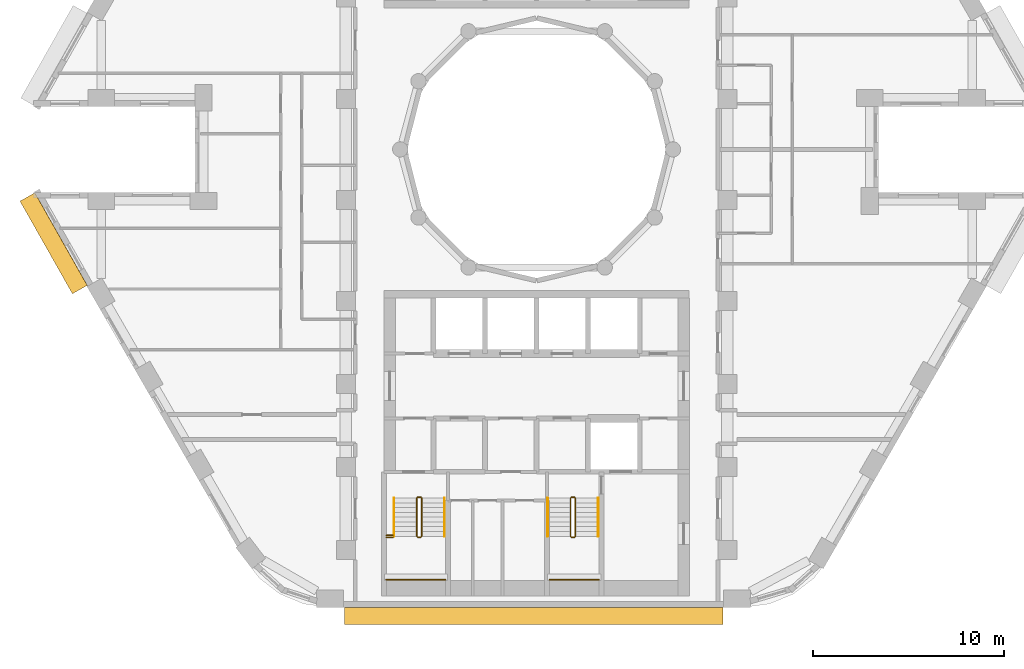
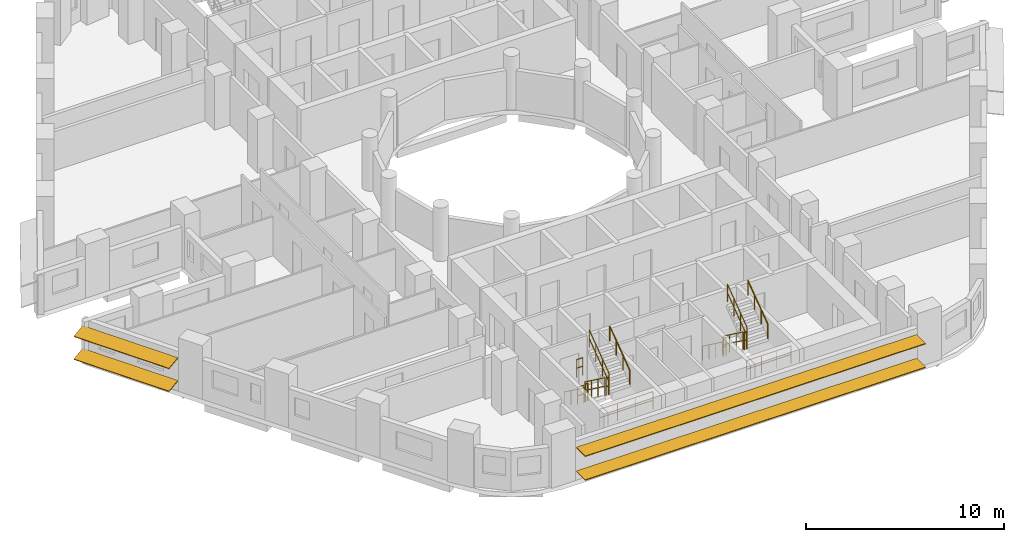
# One storey, part 10 of 12: 16 railings, 4 shading devices.
"""IFC4 building model written with IfcOpenShell, lengths in metres."""

from ifc_helpers import new_model, si_unit, direction, frame, origin, origin_2d, place, context, subcontext, project, spatial, rectangle, circle, extrude, material, material_profile, profile_set, type_object, element, save


model = new_model("IFC4")

# Units and contexts
model_context = context("Model", 3, precision=1e-05, world=origin(), true_north=direction((0.0, 1.0)))
body_context = subcontext(model_context, "Body", "Model", "MODEL_VIEW")
ifc_project = project(units=[si_unit("LENGTHUNIT", "METRE"), si_unit("AREAUNIT", "SQUARE_METRE"), si_unit("VOLUMEUNIT", "CUBIC_METRE"), si_unit("PLANEANGLEUNIT", "RADIAN"), si_unit("MASSUNIT", "GRAM", prefix="KILO")], contexts=[model_context])

# Site, building, storey
site_placement = place(None, origin())
site = spatial("IfcSite", under=ifc_project, at=site_placement, CompositionType="ELEMENT")
building_placement = place(site_placement, origin())
building = spatial("IfcBuilding", under=site, at=building_placement, Name="Nakaniwa Court", CompositionType="ELEMENT")
storey_placement = place(building_placement, frame((0.0, 0.0, 87.60009765625)))
storey = spatial("IfcBuildingStorey", under=building, at=storey_placement, Name="L22", CompositionType="ELEMENT", Elevation=87.60009765625)

# Shading devices
ifc_material_1 = material(Name="Perforated charcoal ceramic louvre blade")
ifc_material_profile = material_profile(ifc_material_1, rectangle(XDim=0.89990234375, YDim=0.050048828125, at=origin_2d()), Name="Perforated ceramic louvre blade")
ifc_profile_set = profile_set([ifc_material_profile], Name="Perforated charcoal ceramic louvre blade")
shading_device_type = type_object("IfcShadingDeviceType", Name="Perforated ceramic louvre blade", PredefinedType="JALOUSIE", material=ifc_profile_set)
for number, where, z_axis, x_axis, name in (
    (1, (53.31689453125, 77.508056640625, 0.5498046875), (0.492438058427, -0.870347493024, 0.0), (0.862701960504, 0.488112256124, 0.132256390257), "L22 perforated ceramic louvre blade w20 1"),
    (2, (53.31689453125, 77.508056640625, 1.95556640625), (0.492438058427, -0.870347493024, 0.0), (0.862701960504, 0.488112256124, 0.132256390257), "L22 perforated ceramic louvre blade w20 2"),
):
    element("IfcShadingDevice", number, at=place(storey_placement, frame(where, z_axis=z_axis, x_axis=x_axis)), inside=storey, type_object=shading_device_type, Name=name, PredefinedType="JALOUSIE", context=body_context, shape_type="SweptSolid", body=[
        extrude(rectangle(XDim=0.89990234375, YDim=0.050048828125, at=origin_2d()), origin(), (0.0, 0.0, 1.0), 5.576416015625),
    ])
for number, where, z_axis, x_axis, name in (
    (3, (69.92138671875, 55.550048828125, 0.5498046875), (1.0, 0.0, 0.0), (0.0, 1.0, 0.0), "L22 perforated ceramic louvre blade w26 1"),
    (4, (69.92138671875, 55.550048828125, 2.014892578125), (1.0, 0.0, 0.0), (0.0, 1.0, 0.0), "L22 perforated ceramic louvre blade w26 2"),
):
    element("IfcShadingDevice", number, at=place(storey_placement, frame(where, z_axis=z_axis, x_axis=x_axis)), inside=storey, type_object=shading_device_type, Name=name, PredefinedType="JALOUSIE", context=body_context, shape_type="SweptSolid", body=[
        extrude(rectangle(XDim=0.89990234375, YDim=0.050048828125, at=origin_2d()), origin(), (0.0, 0.0, 1.0), 19.839599609375),
    ])

# Railings
ifc_material_2 = material(Name="Black powder coated steel guard", Category="steel")
railing_type_1 = type_object("IfcRailingType", Name="Stair guard 1100", PredefinedType="GUARDRAIL", material=ifc_material_2)
railing_1_placement = place(storey_placement, frame((73.72509765625, 61.72509765625, 0.183349609375)))
element("IfcRailing", 5, at=railing_1_placement, inside=storey, type_object=railing_type_1, Name="L22 ST3 stair guard 1", PredefinedType="GUARDRAIL", context=body_context, shape_type="SweptSolid", body=[
    extrude(circle(Radius=0.02392578125, at=origin_2d()), frame((0.0, 0.0, 1.076171875), z_axis=(0.0, -0.806426902644, 0.591333789573), x_axis=(1.0, 0.0, 0.0)), (0.0, 0.0, 1.0), 2.47998046875),
    extrude(circle(Radius=0.02392578125, at=origin_2d()), frame((0.0, 0.0, 0.550048828125), z_axis=(0.0, -0.806426902644, 0.591333789573), x_axis=(1.0, 0.0, 0.0)), (0.0, 0.0, 1.0), 2.47998046875),
    extrude(circle(Radius=0.02099609375, at=origin_2d()), origin(), (0.0, 0.0, 1.0), 1.052001953125),
    extrude(circle(Radius=0.02099609375, at=origin_2d()), frame((0.0, -0.666748046875, 0.48876953125)), (0.0, 0.0, 1.0), 1.052001953125),
    extrude(circle(Radius=0.02099609375, at=origin_2d()), frame((0.0, -1.333251953125, 0.977783203125)), (0.0, 0.0, 1.0), 1.052001953125),
    extrude(circle(Radius=0.02099609375, at=origin_2d()), frame((0.0, -2.0, 1.466552734375)), (0.0, 0.0, 1.0), 1.052001953125),
])
railing_2_placement = place(storey_placement, frame((73.77490234375, 59.675048828125, 1.64990234375)))
element("IfcRailing", 6, at=railing_2_placement, inside=storey, type_object=railing_type_1, Name="L22 ST3 stair guard 2", PredefinedType="GUARDRAIL", context=body_context, shape_type="SweptSolid", body=[
    extrude(circle(Radius=0.02392578125, at=origin_2d()), frame((0.0, 0.0, 1.076171875), z_axis=(1.0, 0.0, 0.0), x_axis=(0.0, 1.0, 0.0)), (0.0, 0.0, 1.0), 0.150146484375),
    extrude(circle(Radius=0.02392578125, at=origin_2d()), frame((0.0, 0.0, 0.550048828125), z_axis=(1.0, 0.0, 0.0), x_axis=(0.0, 1.0, 0.0)), (0.0, 0.0, 1.0), 0.150146484375),
    extrude(circle(Radius=0.02099609375, at=origin_2d()), origin(), (0.0, 0.0, 1.0), 1.052001953125),
    extrude(circle(Radius=0.02099609375, at=origin_2d()), frame((0.150146484375, 0.0, 0.0)), (0.0, 0.0, 1.0), 1.052001953125),
])
railing_3_placement = place(storey_placement, frame((73.97509765625, 59.72509765625, 1.833251953125)))
element("IfcRailing", 7, at=railing_3_placement, inside=storey, type_object=railing_type_1, Name="L22 ST3 stair guard 3", PredefinedType="GUARDRAIL", context=body_context, shape_type="SweptSolid", body=[
    extrude(circle(Radius=0.02392578125, at=origin_2d()), frame((0.0, 0.0, 1.076171875), z_axis=(0.0, 0.806426902644, 0.591333789573), x_axis=(-1.0, 0.0, 0.0)), (0.0, 0.0, 1.0), 2.47998046875),
    extrude(circle(Radius=0.02392578125, at=origin_2d()), frame((0.0, 0.0, 0.550048828125), z_axis=(0.0, 0.806426902644, 0.591333789573), x_axis=(-1.0, 0.0, 0.0)), (0.0, 0.0, 1.0), 2.47998046875),
    extrude(circle(Radius=0.02099609375, at=origin_2d()), origin(), (0.0, 0.0, 1.0), 1.052001953125),
    extrude(circle(Radius=0.02099609375, at=origin_2d()), frame((0.0, 0.666748046875, 0.48876953125)), (0.0, 0.0, 1.0), 1.052001953125),
    extrude(circle(Radius=0.02099609375, at=origin_2d()), frame((0.0, 1.333251953125, 0.977783203125)), (0.0, 0.0, 1.0), 1.052001953125),
    extrude(circle(Radius=0.02099609375, at=origin_2d()), frame((0.0, 2.0, 1.466552734375)), (0.0, 0.0, 1.0), 1.052001953125),
])
railing_4_placement = place(storey_placement, frame((73.77490234375, 61.77490234375, 0.0)))
element("IfcRailing", 8, at=railing_4_placement, inside=storey, type_object=railing_type_1, Name="L22 ST3 stair guard 4", PredefinedType="GUARDRAIL", context=body_context, shape_type="SweptSolid", body=[
    extrude(circle(Radius=0.02392578125, at=origin_2d()), frame((0.0, 0.0, 1.076171875), z_axis=(1.0, 0.0, 0.0), x_axis=(0.0, 1.0, 0.0)), (0.0, 0.0, 1.0), 0.150146484375),
    extrude(circle(Radius=0.02392578125, at=origin_2d()), frame((0.0, 0.0, 0.550048828125), z_axis=(1.0, 0.0, 0.0), x_axis=(0.0, 1.0, 0.0)), (0.0, 0.0, 1.0), 0.150146484375),
    extrude(circle(Radius=0.02099609375, at=origin_2d()), origin(), (0.0, 0.0, 1.0), 1.052001953125),
    extrude(circle(Radius=0.02099609375, at=origin_2d()), frame((0.150146484375, 0.0, 0.0)), (0.0, 0.0, 1.0), 1.052001953125),
])
railing_5_placement = place(storey_placement, frame((72.125, 57.449951171875, 1.64990234375)))
element("IfcRailing", 9, at=railing_5_placement, inside=storey, type_object=railing_type_1, Name="L22 ST3 landing end guard 1", PredefinedType="GUARDRAIL", context=body_context, shape_type="SweptSolid", body=[
    extrude(circle(Radius=0.02392578125, at=origin_2d()), frame((0.0, 0.0, 1.076171875), z_axis=(1.0, 0.0, 0.0), x_axis=(0.0, 1.0, 0.0)), (0.0, 0.0, 1.0), 3.10009765625),
    extrude(circle(Radius=0.02392578125, at=origin_2d()), frame((0.0, 0.0, 0.550048828125), z_axis=(1.0, 0.0, 0.0), x_axis=(0.0, 1.0, 0.0)), (0.0, 0.0, 1.0), 3.10009765625),
    extrude(circle(Radius=0.02099609375, at=origin_2d()), origin(), (0.0, 0.0, 1.0), 1.052001953125),
    extrude(circle(Radius=0.02099609375, at=origin_2d()), frame((1.033447265625, 0.0, 0.0)), (0.0, 0.0, 1.0), 1.052001953125),
    extrude(circle(Radius=0.02099609375, at=origin_2d()), frame((2.066650390625, 0.0, 0.0)), (0.0, 0.0, 1.0), 1.052001953125),
    extrude(circle(Radius=0.02099609375, at=origin_2d()), frame((3.10009765625, 0.0, 0.0)), (0.0, 0.0, 1.0), 1.052001953125),
])
for number, where, name in (
    (10, (72.125, 59.675048828125, 1.64990234375), "L22 ST3 landing side guard 1W"),
    (11, (72.125, 59.77490234375, 3.2998046875), "L22 ST3 floor edge guard 1W"),
):
    element("IfcRailing", number, at=place(storey_placement, frame(where)), inside=storey, type_object=railing_type_1, Name=name, PredefinedType="GUARDRAIL", context=body_context, shape_type="SweptSolid", body=[
        extrude(circle(Radius=0.02392578125, at=origin_2d()), frame((0.0, 0.0, 1.076171875), z_axis=(1.0, 0.0, 0.0), x_axis=(0.0, 1.0, 0.0)), (0.0, 0.0, 1.0), 0.35009765625),
        extrude(circle(Radius=0.02392578125, at=origin_2d()), frame((0.0, 0.0, 0.550048828125), z_axis=(1.0, 0.0, 0.0), x_axis=(0.0, 1.0, 0.0)), (0.0, 0.0, 1.0), 0.35009765625),
        extrude(circle(Radius=0.02099609375, at=origin_2d()), origin(), (0.0, 0.0, 1.0), 1.052001953125),
        extrude(circle(Radius=0.02099609375, at=origin_2d()), frame((0.35009765625, 0.0, 0.0)), (0.0, 0.0, 1.0), 1.052001953125),
    ])
railing_6_placement = place(storey_placement, frame((81.77490234375, 61.72509765625, 0.183349609375)))
element("IfcRailing", 12, at=railing_6_placement, inside=storey, type_object=railing_type_1, Name="L22 ST4 stair guard 1", PredefinedType="GUARDRAIL", context=body_context, shape_type="SweptSolid", body=[
    extrude(circle(Radius=0.02392578125, at=origin_2d()), frame((0.0, 0.0, 1.076171875), z_axis=(0.0, -0.806426902644, 0.591333789573), x_axis=(1.0, 0.0, 0.0)), (0.0, 0.0, 1.0), 2.47998046875),
    extrude(circle(Radius=0.02392578125, at=origin_2d()), frame((0.0, 0.0, 0.550048828125), z_axis=(0.0, -0.806426902644, 0.591333789573), x_axis=(1.0, 0.0, 0.0)), (0.0, 0.0, 1.0), 2.47998046875),
    extrude(circle(Radius=0.02099609375, at=origin_2d()), origin(), (0.0, 0.0, 1.0), 1.052001953125),
    extrude(circle(Radius=0.02099609375, at=origin_2d()), frame((0.0, -0.666748046875, 0.48876953125)), (0.0, 0.0, 1.0), 1.052001953125),
    extrude(circle(Radius=0.02099609375, at=origin_2d()), frame((0.0, -1.333251953125, 0.977783203125)), (0.0, 0.0, 1.0), 1.052001953125),
    extrude(circle(Radius=0.02099609375, at=origin_2d()), frame((0.0, -2.0, 1.466552734375)), (0.0, 0.0, 1.0), 1.052001953125),
])
railing_7_placement = place(storey_placement, frame((81.824951171875, 59.675048828125, 1.64990234375)))
element("IfcRailing", 13, at=railing_7_placement, inside=storey, type_object=railing_type_1, Name="L22 ST4 stair guard 2", PredefinedType="GUARDRAIL", context=body_context, shape_type="SweptSolid", body=[
    extrude(circle(Radius=0.02392578125, at=origin_2d()), frame((0.0, 0.0, 1.076171875), z_axis=(1.0, 0.0, 0.0), x_axis=(0.0, 1.0, 0.0)), (0.0, 0.0, 1.0), 0.150146484375),
    extrude(circle(Radius=0.02392578125, at=origin_2d()), frame((0.0, 0.0, 0.550048828125), z_axis=(1.0, 0.0, 0.0), x_axis=(0.0, 1.0, 0.0)), (0.0, 0.0, 1.0), 0.150146484375),
    extrude(circle(Radius=0.02099609375, at=origin_2d()), origin(), (0.0, 0.0, 1.0), 1.052001953125),
    extrude(circle(Radius=0.02099609375, at=origin_2d()), frame((0.150146484375, 0.0, 0.0)), (0.0, 0.0, 1.0), 1.052001953125),
])
railing_8_placement = place(storey_placement, frame((82.02490234375, 59.72509765625, 1.833251953125)))
element("IfcRailing", 14, at=railing_8_placement, inside=storey, type_object=railing_type_1, Name="L22 ST4 stair guard 3", PredefinedType="GUARDRAIL", context=body_context, shape_type="SweptSolid", body=[
    extrude(circle(Radius=0.02392578125, at=origin_2d()), frame((0.0, 0.0, 1.076171875), z_axis=(0.0, 0.806426902644, 0.591333789573), x_axis=(-1.0, 0.0, 0.0)), (0.0, 0.0, 1.0), 2.47998046875),
    extrude(circle(Radius=0.02392578125, at=origin_2d()), frame((0.0, 0.0, 0.550048828125), z_axis=(0.0, 0.806426902644, 0.591333789573), x_axis=(-1.0, 0.0, 0.0)), (0.0, 0.0, 1.0), 2.47998046875),
    extrude(circle(Radius=0.02099609375, at=origin_2d()), origin(), (0.0, 0.0, 1.0), 1.052001953125),
    extrude(circle(Radius=0.02099609375, at=origin_2d()), frame((0.0, 0.666748046875, 0.48876953125)), (0.0, 0.0, 1.0), 1.052001953125),
    extrude(circle(Radius=0.02099609375, at=origin_2d()), frame((0.0, 1.333251953125, 0.977783203125)), (0.0, 0.0, 1.0), 1.052001953125),
    extrude(circle(Radius=0.02099609375, at=origin_2d()), frame((0.0, 2.0, 1.466552734375)), (0.0, 0.0, 1.0), 1.052001953125),
])
railing_9_placement = place(storey_placement, frame((81.824951171875, 61.77490234375, 0.0)))
element("IfcRailing", 15, at=railing_9_placement, inside=storey, type_object=railing_type_1, Name="L22 ST4 stair guard 4", PredefinedType="GUARDRAIL", context=body_context, shape_type="SweptSolid", body=[
    extrude(circle(Radius=0.02392578125, at=origin_2d()), frame((0.0, 0.0, 1.076171875), z_axis=(1.0, 0.0, 0.0), x_axis=(0.0, 1.0, 0.0)), (0.0, 0.0, 1.0), 0.150146484375),
    extrude(circle(Radius=0.02392578125, at=origin_2d()), frame((0.0, 0.0, 0.550048828125), z_axis=(1.0, 0.0, 0.0), x_axis=(0.0, 1.0, 0.0)), (0.0, 0.0, 1.0), 0.150146484375),
    extrude(circle(Radius=0.02099609375, at=origin_2d()), origin(), (0.0, 0.0, 1.0), 1.052001953125),
    extrude(circle(Radius=0.02099609375, at=origin_2d()), frame((0.150146484375, 0.0, 0.0)), (0.0, 0.0, 1.0), 1.052001953125),
])
railing_10_placement = place(storey_placement, frame((80.675048828125, 57.449951171875, 1.64990234375)))
element("IfcRailing", 16, at=railing_10_placement, inside=storey, type_object=railing_type_1, Name="L22 ST4 landing end guard 1", PredefinedType="GUARDRAIL", context=body_context, shape_type="SweptSolid", body=[
    extrude(circle(Radius=0.02392578125, at=origin_2d()), frame((0.0, 0.0, 1.076171875), z_axis=(1.0, 0.0, 0.0), x_axis=(0.0, 1.0, 0.0)), (0.0, 0.0, 1.0), 2.599853515625),
    extrude(circle(Radius=0.02392578125, at=origin_2d()), frame((0.0, 0.0, 0.550048828125), z_axis=(1.0, 0.0, 0.0), x_axis=(0.0, 1.0, 0.0)), (0.0, 0.0, 1.0), 2.599853515625),
    extrude(circle(Radius=0.02099609375, at=origin_2d()), origin(), (0.0, 0.0, 1.0), 1.052001953125),
    extrude(circle(Radius=0.02099609375, at=origin_2d()), frame((0.86669921875, 0.0, 0.0)), (0.0, 0.0, 1.0), 1.052001953125),
    extrude(circle(Radius=0.02099609375, at=origin_2d()), frame((1.733154296875, 0.0, 0.0)), (0.0, 0.0, 1.0), 1.052001953125),
    extrude(circle(Radius=0.02099609375, at=origin_2d()), frame((2.599853515625, 0.0, 0.0)), (0.0, 0.0, 1.0), 1.052001953125),
])
ifc_material_3 = material(Name="Black powder coated steel handrail", Category="steel")
railing_type_2 = type_object("IfcRailingType", Name="Stair handrail 900", PredefinedType="HANDRAIL", material=ifc_material_3)
railing_11_placement = place(storey_placement, frame((72.52490234375, 61.72509765625, 0.183349609375)))
element("IfcRailing", 17, at=railing_11_placement, inside=storey, type_object=railing_type_2, Name="L22 ST3 stair handrail 1", PredefinedType="HANDRAIL", context=body_context, shape_type="SweptSolid", body=[
    extrude(circle(Radius=0.02392578125, at=origin_2d()), frame((0.0, 0.0, 0.8759765625), z_axis=(0.0, -0.806426902644, 0.591333789573), x_axis=(1.0, 0.0, 0.0)), (0.0, 0.0, 1.0), 2.47998046875),
    extrude(circle(Radius=0.02099609375, at=origin_2d()), origin(), (0.0, 0.0, 1.0), 0.851806640625),
    extrude(circle(Radius=0.02099609375, at=origin_2d()), frame((0.0, -0.666748046875, 0.48876953125)), (0.0, 0.0, 1.0), 0.851806640625),
    extrude(circle(Radius=0.02099609375, at=origin_2d()), frame((0.0, -1.333251953125, 0.977783203125)), (0.0, 0.0, 1.0), 0.851806640625),
    extrude(circle(Radius=0.02099609375, at=origin_2d()), frame((0.0, -2.0, 1.466552734375)), (0.0, 0.0, 1.0), 0.851806640625),
])
railing_12_placement = place(storey_placement, frame((75.175048828125, 59.72509765625, 1.833251953125)))
element("IfcRailing", 18, at=railing_12_placement, inside=storey, type_object=railing_type_2, Name="L22 ST3 stair handrail 2", PredefinedType="HANDRAIL", context=body_context, shape_type="SweptSolid", body=[
    extrude(circle(Radius=0.02392578125, at=origin_2d()), frame((0.0, 0.0, 0.8759765625), z_axis=(0.0, 0.806426902644, 0.591333789573), x_axis=(-1.0, 0.0, 0.0)), (0.0, 0.0, 1.0), 2.47998046875),
    extrude(circle(Radius=0.02099609375, at=origin_2d()), origin(), (0.0, 0.0, 1.0), 0.851806640625),
    extrude(circle(Radius=0.02099609375, at=origin_2d()), frame((0.0, 0.666748046875, 0.48876953125)), (0.0, 0.0, 1.0), 0.851806640625),
    extrude(circle(Radius=0.02099609375, at=origin_2d()), frame((0.0, 1.333251953125, 0.977783203125)), (0.0, 0.0, 1.0), 0.851806640625),
    extrude(circle(Radius=0.02099609375, at=origin_2d()), frame((0.0, 2.0, 1.466552734375)), (0.0, 0.0, 1.0), 0.851806640625),
])
railing_13_placement = place(storey_placement, frame((80.574951171875, 61.72509765625, 0.183349609375)))
element("IfcRailing", 19, at=railing_13_placement, inside=storey, type_object=railing_type_2, Name="L22 ST4 stair handrail 1", PredefinedType="HANDRAIL", context=body_context, shape_type="SweptSolid", body=[
    extrude(circle(Radius=0.02392578125, at=origin_2d()), frame((0.0, 0.0, 0.8759765625), z_axis=(0.0, -0.806426902644, 0.591333789573), x_axis=(1.0, 0.0, 0.0)), (0.0, 0.0, 1.0), 2.47998046875),
    extrude(circle(Radius=0.02099609375, at=origin_2d()), origin(), (0.0, 0.0, 1.0), 0.851806640625),
    extrude(circle(Radius=0.02099609375, at=origin_2d()), frame((0.0, -0.666748046875, 0.48876953125)), (0.0, 0.0, 1.0), 0.851806640625),
    extrude(circle(Radius=0.02099609375, at=origin_2d()), frame((0.0, -1.333251953125, 0.977783203125)), (0.0, 0.0, 1.0), 0.851806640625),
    extrude(circle(Radius=0.02099609375, at=origin_2d()), frame((0.0, -2.0, 1.466552734375)), (0.0, 0.0, 1.0), 0.851806640625),
])
railing_14_placement = place(storey_placement, frame((83.22509765625, 59.72509765625, 1.833251953125)))
element("IfcRailing", 20, at=railing_14_placement, inside=storey, type_object=railing_type_2, Name="L22 ST4 stair handrail 2", PredefinedType="HANDRAIL", context=body_context, shape_type="SweptSolid", body=[
    extrude(circle(Radius=0.02392578125, at=origin_2d()), frame((0.0, 0.0, 0.8759765625), z_axis=(0.0, 0.806426902644, 0.591333789573), x_axis=(-1.0, 0.0, 0.0)), (0.0, 0.0, 1.0), 2.47998046875),
    extrude(circle(Radius=0.02099609375, at=origin_2d()), origin(), (0.0, 0.0, 1.0), 0.851806640625),
    extrude(circle(Radius=0.02099609375, at=origin_2d()), frame((0.0, 0.666748046875, 0.48876953125)), (0.0, 0.0, 1.0), 0.851806640625),
    extrude(circle(Radius=0.02099609375, at=origin_2d()), frame((0.0, 1.333251953125, 0.977783203125)), (0.0, 0.0, 1.0), 0.851806640625),
    extrude(circle(Radius=0.02099609375, at=origin_2d()), frame((0.0, 2.0, 1.466552734375)), (0.0, 0.0, 1.0), 0.851806640625),
])

save(model, "model.ifc")
